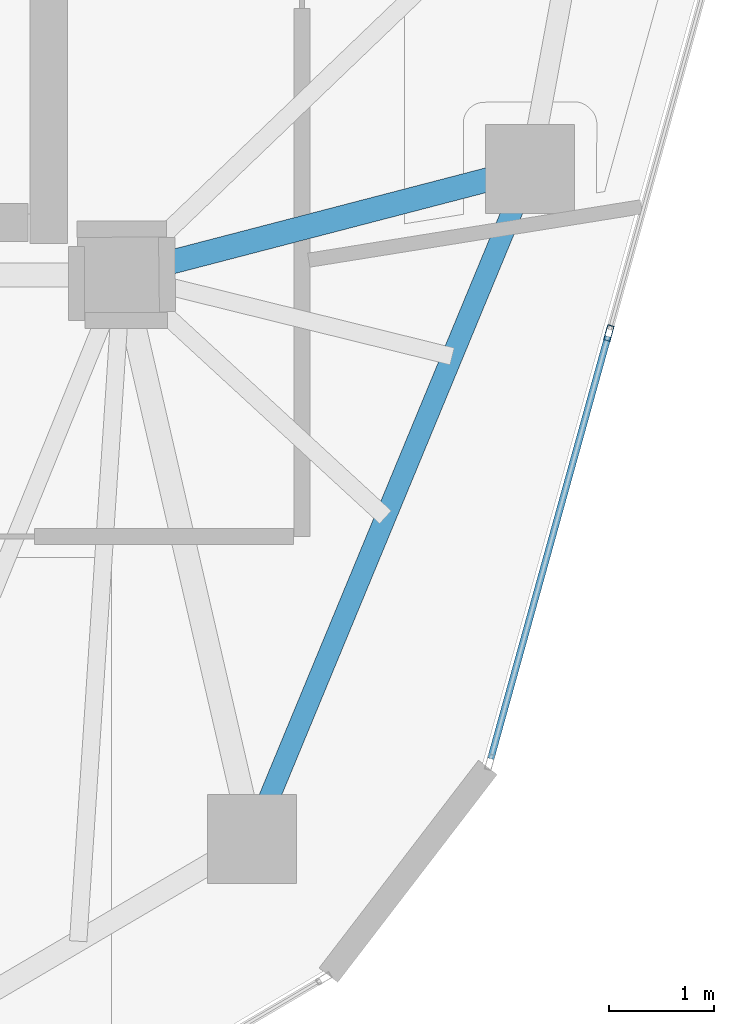
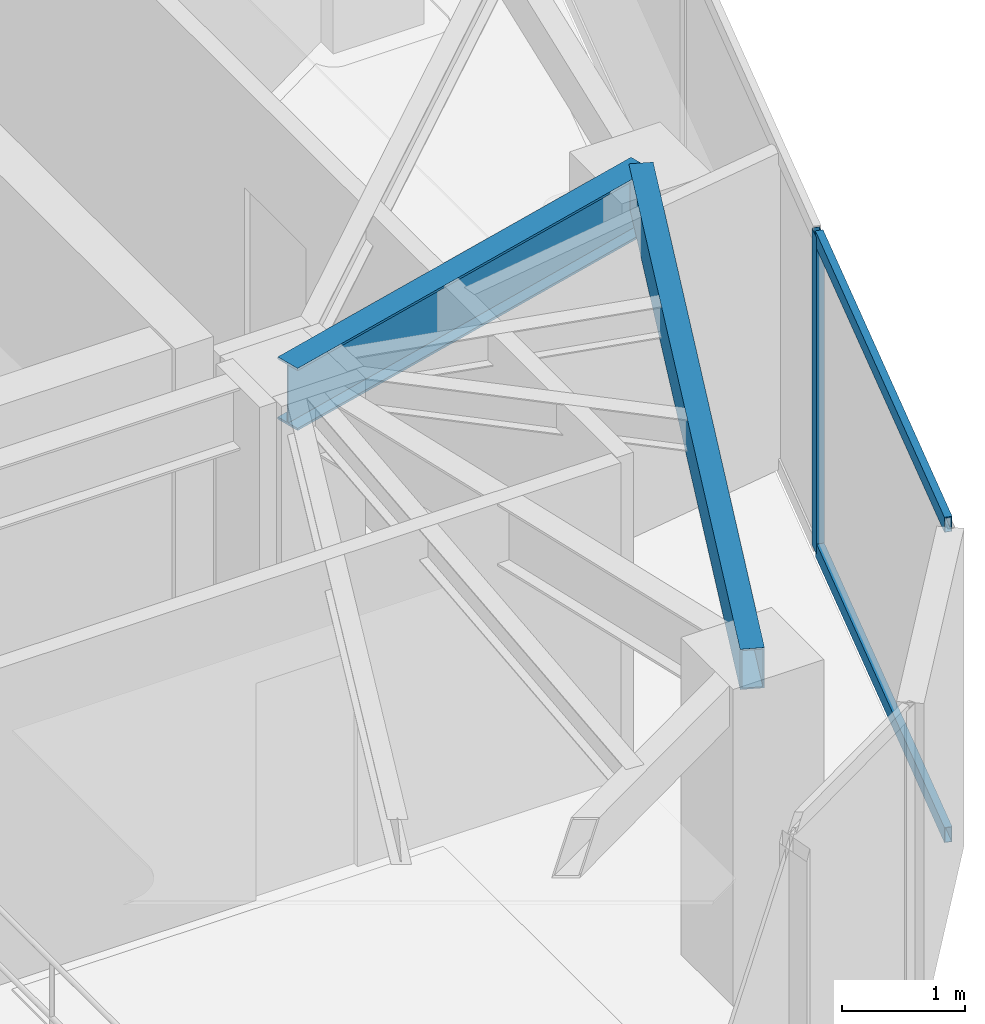
# One storey, part 7 of 20: 3 members, 2 beams, 1 element without a shape of its own.
"""IFC4 building model written with IfcOpenShell, lengths in metres."""

import ifcopenshell
import ifcopenshell.guid

model = None  # the IFC model being written
_history = None  # IfcOwnerHistory: only IFC2X3 demands one
_inside = {}  # id of a spatial element -> (the spatial element, [elements in it])
_under = {}  # id of a project, library or spatial element -> (it, [spatial elements below it])
_declared = {}  # id of a project -> (the project, [libraries it declares])
_typed = {}  # id of a type object -> (the type object, [elements of that type])
_made_of = {}  # id of a material, layer set ... -> (it, [elements and type objects made of it])


def new_model(schema):
    """Start an empty IFC model of exactly this schema.

    Asked for "IFC4X3", IfcOpenShell would pick the latest addendum, in which some entities
    have other attributes; the version numbers below select the first issue.
    IFC2X3 requires an IfcOwnerHistory on every rooted entity: one is made here for all.
    """
    global model, _history
    if schema == "IFC4X3":
        model = ifcopenshell.file(schema_version=(4, 3, 0, 0))
    else:
        model = ifcopenshell.file(schema=schema)
    _inside.clear()
    _under.clear()
    _declared.clear()
    _typed.clear()
    _made_of.clear()
    _history = None
    if model.schema == "IFC2X3":
        org = make("IfcOrganization", Name="unknown")
        user = make(
            "IfcPersonAndOrganization",
            ThePerson=make("IfcPerson", FamilyName="unknown"),
            TheOrganization=org,
        )
        app = make(
            "IfcApplication",
            ApplicationDeveloper=org,
            Version="unknown",
            ApplicationFullName="unknown",
            ApplicationIdentifier="unknown",
        )
        _history = make(
            "IfcOwnerHistory",
            OwningUser=user,
            OwningApplication=app,
            ChangeAction="ADDED",
            CreationDate=0,
        )
    return model


def make(cls, **values):
    """One entity of the class cls with the attributes given. An attribute that is None is left unset."""
    return model.create_entity(
        cls, **{name: value for name, value in values.items() if value is not None}
    )


def rooted(cls, **values):
    """An entity with a GlobalId (a new one), such as an element, a storey or a relation."""
    return make(cls, GlobalId=ifcopenshell.guid.new(), OwnerHistory=_history, **values)


def si_unit(unit_type, name, prefix=None):
    """IfcSIUnit, for example si_unit("LENGTHUNIT", "METRE", prefix="MILLI")."""
    return make("IfcSIUnit", UnitType=unit_type, Prefix=prefix, Name=name)


def assignment(units):
    """IfcUnitAssignment: the units of a project."""
    return None if units is None else make("IfcUnitAssignment", Units=units)


def point(xyz):
    """IfcCartesianPoint."""
    return None if xyz is None else make("IfcCartesianPoint", Coordinates=xyz)


def direction(xyz):
    """IfcDirection."""
    return None if xyz is None else make("IfcDirection", DirectionRatios=xyz)


def frame(location, z_axis=None, x_axis=None):
    """IfcAxis2Placement3D, a coordinate frame: its origin and axes. An axis left out is left unset."""
    return make(
        "IfcAxis2Placement3D",
        Location=point(location),
        Axis=direction(z_axis),
        RefDirection=direction(x_axis),
    )


def frame_2d(location, x_axis=None):
    """IfcAxis2Placement2D, a coordinate frame in the plane: its origin and x axis."""
    return make(
        "IfcAxis2Placement2D", Location=point(location), RefDirection=direction(x_axis)
    )


def origin():
    """The frame at (0, 0, 0) with its axes left unset."""
    return frame((0.0, 0.0, 0.0))


def origin_2d():
    """The frame at (0, 0) in the plane with its x axis left unset."""
    return frame_2d((0.0, 0.0))


def place(relative_to, where):
    """IfcLocalPlacement: puts the frame where relative to a parent placement (None: the world)."""
    return make(
        "IfcLocalPlacement", PlacementRelTo=relative_to, RelativePlacement=where
    )


def context(
    kind, dimensions, precision=None, world=None, true_north=None, identifier=None
):
    """IfcGeometricRepresentationContext, for example the 3D "Model" context."""
    return make(
        "IfcGeometricRepresentationContext",
        ContextIdentifier=identifier,
        ContextType=kind,
        CoordinateSpaceDimension=dimensions,
        Precision=precision,
        WorldCoordinateSystem=world,
        TrueNorth=true_north,
    )


def subcontext(parent, identifier, kind, view, scale=None):
    """IfcGeometricRepresentationSubContext, for example "Body" below "Model"."""
    return make(
        "IfcGeometricRepresentationSubContext",
        ContextIdentifier=identifier,
        ContextType=kind,
        ParentContext=parent,
        TargetScale=scale,
        TargetView=view,
    )


def project(units=None, contexts=None):
    """IfcProject with its units and contexts."""
    return rooted(
        "IfcProject",
        Name="project",
        RepresentationContexts=contexts,
        UnitsInContext=assignment(units),
    )


def spatial(cls, under=None, at=None, **own):
    """A site, building, storey or space (cls), placed at a placement, below another one or the project."""
    s = rooted(cls, ObjectPlacement=at, **own)
    if under is not None:
        _under.setdefault(under.id(), (under, []))[1].append(s)
    return s


def profile(cls, at=None, kind="AREA", **sizes):
    """A parametric profile (cls). Its sizes go by their IFC names, for example OverallWidth=200.0."""
    return make(cls, ProfileType=kind, Position=at, **sizes)


def hollow_rectangle(**sizes):
    """IfcRectangleHollowProfileDef."""
    return profile("IfcRectangleHollowProfileDef", **sizes)


def i_section(**sizes):
    """IfcIShapeProfileDef."""
    return profile("IfcIShapeProfileDef", **sizes)


def extrude(swept, where, along, depth):
    """IfcExtrudedAreaSolid: the profile swept, set in the frame where, extruded along a direction by depth."""
    return make(
        "IfcExtrudedAreaSolid",
        SweptArea=swept,
        Position=where,
        ExtrudedDirection=direction(along),
        Depth=depth,
    )


def shape(context_of_items, identifier, shape_type, items):
    """IfcShapeRepresentation: the items that make up one representation, for example the "Body"."""
    return make(
        "IfcShapeRepresentation",
        ContextOfItems=context_of_items,
        RepresentationIdentifier=identifier,
        RepresentationType=shape_type,
        Items=items,
    )


def source(mapping_origin, context_of_items, identifier, shape_type, items):
    """IfcRepresentationMap: a shape defined once, which mapped items show again and again."""
    return make(
        "IfcRepresentationMap",
        MappingOrigin=mapping_origin,
        MappedRepresentation=shape(context_of_items, identifier, shape_type, items),
    )


def transform(
    local_origin,
    x_axis=None,
    y_axis=None,
    z_axis=None,
    scale=None,
    scale2=None,
    scale3=None,
    uniform=True,
):
    """IfcCartesianTransformationOperator3D, or its non-uniform kind. x_axis, y_axis, z_axis: its Axis1, 2, 3."""
    if uniform:
        return make(
            "IfcCartesianTransformationOperator3D",
            Axis1=direction(x_axis),
            Axis2=direction(y_axis),
            LocalOrigin=point(local_origin),
            Scale=scale,
            Axis3=direction(z_axis),
        )
    return make(
        "IfcCartesianTransformationOperator3DnonUniform",
        Axis1=direction(x_axis),
        Axis2=direction(y_axis),
        LocalOrigin=point(local_origin),
        Scale=scale,
        Axis3=direction(z_axis),
        Scale2=scale2,
        Scale3=scale3,
    )


def mapped(mapping_source, mapping_target):
    """IfcMappedItem: shows the shape of a source again, moved by a transform."""
    return make(
        "IfcMappedItem", MappingSource=mapping_source, MappingTarget=mapping_target
    )


def material(Name=None, Category=None):
    """IfcMaterial."""
    return make("IfcMaterial", Name=Name, Category=Category)


def layer(
    of_material, thickness, ventilated=None, Name=None, Category=None, Priority=None
):
    """IfcMaterialLayer: one layer of a wall or slab, of a material (None: an air gap)."""
    return make(
        "IfcMaterialLayer",
        Material=of_material,
        LayerThickness=thickness,
        IsVentilated=ventilated,
        Name=Name,
        Category=Category,
        Priority=Priority,
    )


def layer_set(layers, Name=None):
    """IfcMaterialLayerSet."""
    return make("IfcMaterialLayerSet", MaterialLayers=layers, LayerSetName=Name)


def material_profile(
    of_material, cross_section, Name=None, Category=None, Priority=None
):
    """IfcMaterialProfile: a cross section and its material."""
    return make(
        "IfcMaterialProfile",
        Name=Name,
        Material=of_material,
        Profile=cross_section,
        Priority=Priority,
        Category=Category,
    )


def profile_set(profiles, Name=None, composite=None):
    """IfcMaterialProfileSet."""
    return make(
        "IfcMaterialProfileSet",
        Name=Name,
        MaterialProfiles=profiles,
        CompositeProfile=composite,
    )


def made_of(thing, what):
    """Note that an element or type object is made of a material, layer set ...; save() writes the relation."""
    if what is not None:
        _made_of.setdefault(what.id(), (what, []))[1].append(thing)
    return thing


def type_object(cls, material=None, **own):
    """A type object (cls), such as IfcWallType, which elements share."""
    return made_of(rooted(cls, **own), material)


def type_shapes(of_type, sources):
    """Give a type object the sources (RepresentationMaps) that its elements show as mapped items."""
    of_type.RepresentationMaps = sources


def element(
    cls,
    number,
    at=None,
    inside=None,
    cuts=None,
    type_object=None,
    material=None,
    context=None,
    identifier="Body",
    shape_type=None,
    held_by="IfcProductDefinitionShape",
    body=None,
    shapes=None,
    **own,
):
    """One element of the class cls, such as IfcWall. Its Tag is "e" and its number.

    at: its placement. inside: the storey or other place that contains it. cuts: it is an
    opening in that element (IfcRelVoidsElement). A single representation is given by context,
    identifier, shape_type and body (its items); several are given by shapes. held_by: the class
    of the entity that holds the representations. save() writes the other relations.
    """
    e = rooted(cls, Tag="e%d" % number, ObjectPlacement=at, **own)
    if body is not None:
        shapes = [shape(context, identifier, shape_type, body)]
    if shapes is not None:
        e.Representation = make(held_by, Representations=shapes)
    if inside is not None:
        _inside.setdefault(inside.id(), (inside, []))[1].append(e)
    if cuts is not None:
        rooted(
            "IfcRelVoidsElement", RelatingBuildingElement=cuts, RelatedOpeningElement=e
        )
    if type_object is not None:
        _typed.setdefault(type_object.id(), (type_object, []))[1].append(e)
    return made_of(e, material)


def aggregate(whole, parts):
    """IfcRelAggregates: a whole, such as a stair, and the parts it consists of."""
    return rooted("IfcRelAggregates", RelatingObject=whole, RelatedObjects=parts)


def save(model, path):
    """Write the relations noted so far, then the file.

    IfcRelAggregates (storeys below a building ...), IfcRelContainedInSpatialStructure (elements
    in a storey), IfcRelDefinesByType, IfcRelAssociatesMaterial and IfcRelDeclares: one each for
    every whole, place, type object, material and project.
    """
    for whole, parts in _under.values():
        aggregate(whole, parts)
    for where, things in _inside.values():
        rooted(
            "IfcRelContainedInSpatialStructure",
            RelatedElements=things,
            RelatingStructure=where,
        )
    for kind, things in _typed.values():
        rooted("IfcRelDefinesByType", RelatedObjects=things, RelatingType=kind)
    for what, things in _made_of.values():
        rooted("IfcRelAssociatesMaterial", RelatedObjects=things, RelatingMaterial=what)
    for by, libraries in _declared.values():
        rooted("IfcRelDeclares", RelatingContext=by, RelatedDefinitions=libraries)
    model.write(path)


model = new_model("IFC4")

# Units and contexts
model_context = context("Model", 3, precision=1e-05, world=origin(), true_north=direction((0.0, 1.0)))
body_context = subcontext(model_context, "Body", "Model", "MODEL_VIEW")
ifc_project = project(units=[si_unit("LENGTHUNIT", "METRE"), si_unit("AREAUNIT", "SQUARE_METRE"), si_unit("VOLUMEUNIT", "CUBIC_METRE"), si_unit("PLANEANGLEUNIT", "RADIAN"), si_unit("MASSUNIT", "GRAM", prefix="KILO")], contexts=[model_context])

# Site, building, storey
site_placement = place(None, origin())
site = spatial("IfcSite", under=ifc_project, at=site_placement, CompositionType="ELEMENT")
building_placement = place(site_placement, origin())
building = spatial("IfcBuilding", under=site, at=building_placement, Name="Talar Marvaseh", CompositionType="ELEMENT")
storey_placement = place(building_placement, frame((0.0, 0.0, 254.39990234375)))
storey = spatial("IfcBuildingStorey", under=building, at=storey_placement, Name="L67", CompositionType="ELEMENT", Elevation=254.39990234375)

# Beams
ifc_material_1 = material(Name="Steel S355", Category="steel")
ifc_material_profile_1 = material_profile(ifc_material_1, hollow_rectangle(XDim=0.199951171875, YDim=0.39990234375, WallThickness=0.013916015625, at=origin_2d()), Name="RHS400x200x14")
ifc_profile_set_1 = profile_set([ifc_material_profile_1], Name="Steel S355")
beam_type_1 = type_object("IfcBeamType", Name="Zone 3 Perimeter Spandrel Beam RHS400x200x14", PredefinedType="SPANDREL", material=ifc_profile_set_1)
beam_1_placement = place(storey_placement, frame((37.197021484375, 26.513916015625, 2.940185546875), z_axis=(-0.382798740112, -0.923831762048, 0.0), x_axis=(0.923831762048, -0.382798740112, 0.0)))
element("IfcBeam", 1, at=beam_1_placement, inside=storey, type_object=beam_type_1, Name="L67 Zone 3 Perimeter Spandrel Beam RHS400x200x14", PredefinedType="SPANDREL", context=body_context, shape_type="SweptSolid", body=[
    extrude(hollow_rectangle(XDim=0.199951171875, YDim=0.39990234375, WallThickness=0.013916015625, at=origin_2d()), origin(), (0.0, 0.0, 1.0), 6.9306640625),
])
ifc_material_profile_2 = material_profile(ifc_material_1, i_section(OverallWidth=0.22998046875, OverallDepth=0.616943359375, WebThickness=0.01318359375, FlangeThickness=0.022216796875, at=origin_2d()), Name="W610x140")
ifc_profile_set_2 = profile_set([ifc_material_profile_2], Name="Steel S355")
beam_type_2 = type_object("IfcBeamType", Name="Zone 4 Radial Floor Girder W610x140", PredefinedType="BEAM", material=ifc_profile_set_2)
beam_2_placement = place(storey_placement, frame((37.197021484375, 26.513916015625, 2.83154296875), z_axis=(-0.967779967746, -0.251797406719, 0.0), x_axis=(0.251797406719, -0.967779967746, 0.0)))
element("IfcBeam", 2, at=beam_2_placement, inside=storey, type_object=beam_type_2, Name="L67 Zone 4 Radial Floor Girder W610x140", PredefinedType="BEAM", context=body_context, shape_type="SweptSolid", body=[
    extrude(i_section(OverallWidth=0.22998046875, OverallDepth=0.616943359375, WebThickness=0.01318359375, FlangeThickness=0.022216796875, at=origin_2d()), origin(), (0.0, 0.0, 1.0), 4.026611328125),
])

# Curtain wall, members
ifc_material_2 = material(Name="Architectural Aluminium", Category="aluminium")
ifc_layer = layer(ifc_material_2, 0.179931640625)
ifc_layer_set = layer_set([ifc_layer], Name="Architectural Aluminium")
curtain_wall_type = type_object("IfcCurtainWallType", Name="Unitised High-Wind Sky Curtain Wall Z4", PredefinedType="NOTDEFINED", material=ifc_layer_set)
curtain_wall_placement = place(storey_placement, origin())
curtain_wall = element("IfcCurtainWall", 3, at=curtain_wall_placement, inside=storey, type_object=curtain_wall_type, Name="L67 Unitised High-Wind Sky Curtain Wall Z4", PredefinedType="NOTDEFINED")
ifc_material_profile_3 = material_profile(ifc_material_2, hollow_rectangle(XDim=0.06494140625, YDim=0.14990234375, WallThickness=0.00390625, at=origin_2d()), Name="RHS150x65x4")
ifc_profile_set_3 = profile_set([ifc_material_profile_3], Name="Architectural Aluminium")
member_type_1 = type_object("IfcMemberType", Name="Unitised Curtain Wall Slim Transom RHS150x65x4", PredefinedType="USERDEFINED", material=ifc_profile_set_3)
shared_shape_1 = source(origin(), body_context, "Body", "SweptSolid", [
    extrude(hollow_rectangle(XDim=0.06494140625, YDim=0.14990234375, WallThickness=0.00390625, at=origin_2d()), origin(), (0.0, 0.0, 1.0), 4.188720703125),
])
type_shapes(member_type_1, [shared_shape_1])
member_1_placement = place(storey_placement, frame((37.94287109375, 24.9130859375, 0.03271484375), z_axis=(-0.267415389168, -0.963581345625, 0.0), x_axis=(0.963581345625, -0.267415389168, 0.0)))
member_1 = element("IfcMember", 4, at=member_1_placement, type_object=member_type_1, Name="CW-Z4 transom 4.1", ObjectType="TRANSOM", PredefinedType="USERDEFINED", context=body_context, shape_type="MappedRepresentation", body=[
    mapped(shared_shape_1, transform((0.0, 0.0, 0.0), x_axis=(1.0, 0.0, 0.0), y_axis=(0.0, 1.0, 0.0), z_axis=(0.0, 0.0, 1.0), scale=1.0)),
])
member_2_placement = place(storey_placement, frame((37.94287109375, 24.9130859375, 3.107666015625), z_axis=(-0.267415389168, -0.963581345625, 0.0), x_axis=(0.963581345625, -0.267415389168, 0.0)))
member_2 = element("IfcMember", 5, at=member_2_placement, type_object=member_type_1, Name="CW-Z4 transom 4.2", ObjectType="TRANSOM", PredefinedType="USERDEFINED", context=body_context, shape_type="MappedRepresentation", body=[
    mapped(shared_shape_1, transform((0.0, 0.0, 0.0), x_axis=(1.0, 0.0, 0.0), y_axis=(0.0, 1.0, 0.0), z_axis=(0.0, 0.0, 1.0), scale=1.0)),
])
ifc_material_profile_4 = material_profile(ifc_material_2, hollow_rectangle(XDim=0.06494140625, YDim=0.14990234375, WallThickness=0.00390625, at=origin_2d()), Name="RHS150x65x4")
ifc_profile_set_4 = profile_set([ifc_material_profile_4], Name="Architectural Aluminium")
member_type_2 = type_object("IfcMemberType", Name="Unitised Curtain Wall Slim Mullion RHS150x65x4", PredefinedType="MULLION", material=ifc_profile_set_4)
shared_shape_2 = source(origin(), body_context, "Body", "SweptSolid", [
    extrude(hollow_rectangle(XDim=0.06494140625, YDim=0.14990234375, WallThickness=0.00390625, at=origin_2d()), origin(), (0.0, 0.0, 1.0), 3.14013671875),
])
type_shapes(member_type_2, [shared_shape_2])
member_3_placement = place(storey_placement, frame((37.951416015625, 24.9443359375, 0.0), z_axis=(0.0, 0.0, 1.0), x_axis=(0.963588318835, -0.267390261237, 0.0)))
member_3 = element("IfcMember", 6, at=member_3_placement, type_object=member_type_2, Name="CW-Z4 mullion 4", PredefinedType="MULLION", context=body_context, shape_type="MappedRepresentation", body=[
    mapped(shared_shape_2, transform((0.0, 0.0, 0.0), x_axis=(1.0, 0.0, 0.0), y_axis=(0.0, 1.0, 0.0), z_axis=(0.0, 0.0, 1.0), scale=1.0)),
])
aggregate(curtain_wall, [member_3, member_1, member_2])

save(model, "model.ifc")
